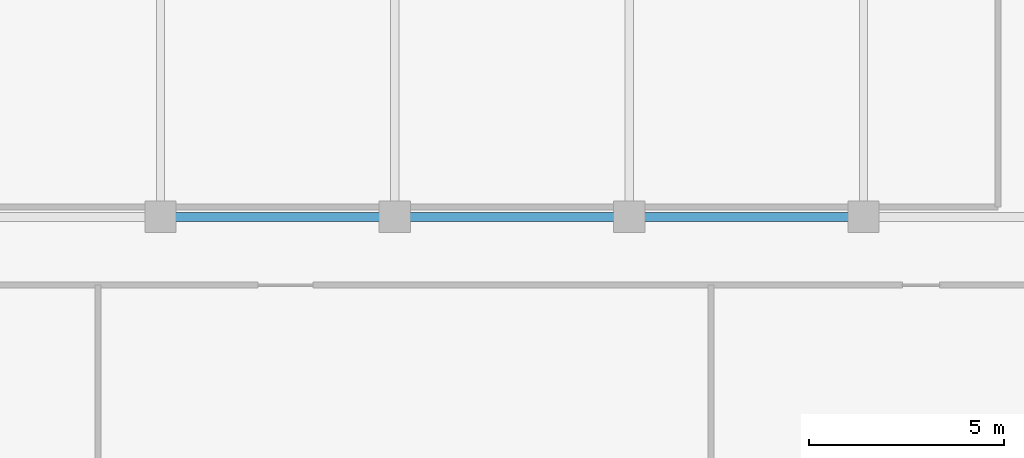
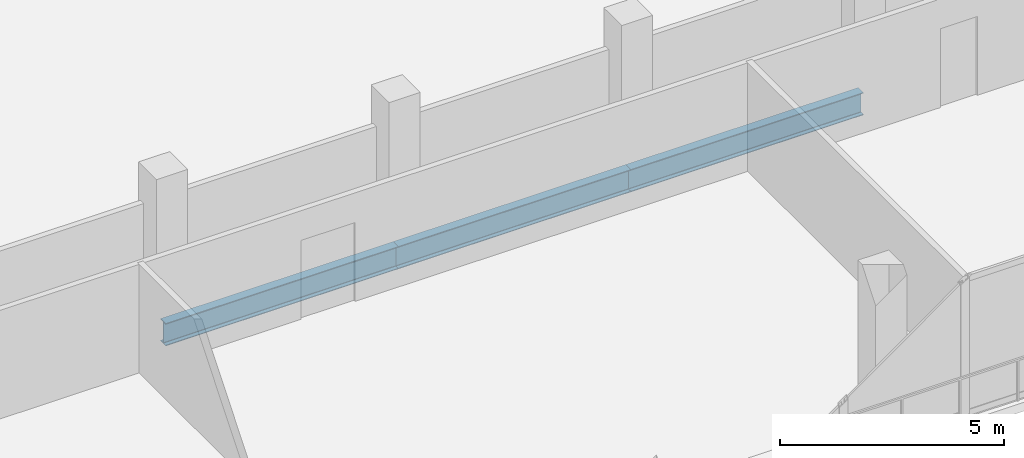
# One storey, part 7 of 26: 3 beams.
"""IFC4 building model written with IfcOpenShell, lengths in metres."""

from ifc_helpers import new_model, si_unit, direction, frame, origin, origin_2d, place, context, subcontext, project, spatial, i_section, extrude, material, material_profile, profile_set, type_object, element, save


model = new_model("IFC4")

# Units and contexts
model_context = context("Model", 3, precision=1e-05, world=origin(), true_north=direction((0.0, 1.0)))
body_context = subcontext(model_context, "Body", "Model", "MODEL_VIEW")
ifc_project = project(units=[si_unit("LENGTHUNIT", "METRE"), si_unit("AREAUNIT", "SQUARE_METRE"), si_unit("VOLUMEUNIT", "CUBIC_METRE"), si_unit("PLANEANGLEUNIT", "RADIAN"), si_unit("MASSUNIT", "GRAM", prefix="KILO")], contexts=[model_context])

# Site, building, storey
site_placement = place(None, origin())
site = spatial("IfcSite", under=ifc_project, at=site_placement, CompositionType="ELEMENT")
building_placement = place(site_placement, origin())
building = spatial("IfcBuilding", under=site, at=building_placement, Name="Tanjung Sevakor Pilgrim Tower", CompositionType="ELEMENT")
storey_placement = place(building_placement, frame((0.0, 0.0, 177.8701171875)))
storey = spatial("IfcBuildingStorey", under=building, at=storey_placement, Name="L49", CompositionType="ELEMENT", Elevation=177.8701171875)

# Beams
ifc_material = material(Name="Steel S355J2", Category="steel")
ifc_material_profile = material_profile(ifc_material, i_section(OverallWidth=0.22900390625, OverallDepth=0.6123046875, WebThickness=0.011962890625, FlangeThickness=0.01953125, FilletRadius=0.0126953125, at=origin_2d()))
ifc_profile_set = profile_set([ifc_material_profile], Name="Steel S355J2")
beam_type = type_object("IfcBeamType", Name="BM-B-G4-UB_610x229x125", PredefinedType="BEAM", material=ifc_profile_set)
for number, where, z_axis, x_axis, name in (
    (1, (54.0, 24.60009765625, -0.586181640625), (1.0, 0.0, 0.0), (0.0, 1.0, 0.0), "L49 Primary Floor Girder MAIN Y246-05"),
    (2, (60.0, 24.60009765625, -0.586181640625), (1.0, 0.0, 0.0), (0.0, 1.0, 0.0), "L49 Primary Floor Girder MAIN Y246-06"),
    (3, (66.0, 24.60009765625, -0.586181640625), (1.0, 0.0, 0.0), (0.0, 1.0, 0.0), "L49 Primary Floor Girder MAIN Y246-07"),
):
    element("IfcBeam", number, at=place(storey_placement, frame(where, z_axis=z_axis, x_axis=x_axis)), inside=storey, type_object=beam_type, Name=name, PredefinedType="BEAM", context=body_context, shape_type="SweptSolid", body=[
        extrude(i_section(OverallWidth=0.22900390625, OverallDepth=0.6123046875, WebThickness=0.011962890625, FlangeThickness=0.01953125, FilletRadius=0.0126953125, at=origin_2d()), origin(), (0.0, 0.0, 1.0), 6.0),
    ])

save(model, "model.ifc")
